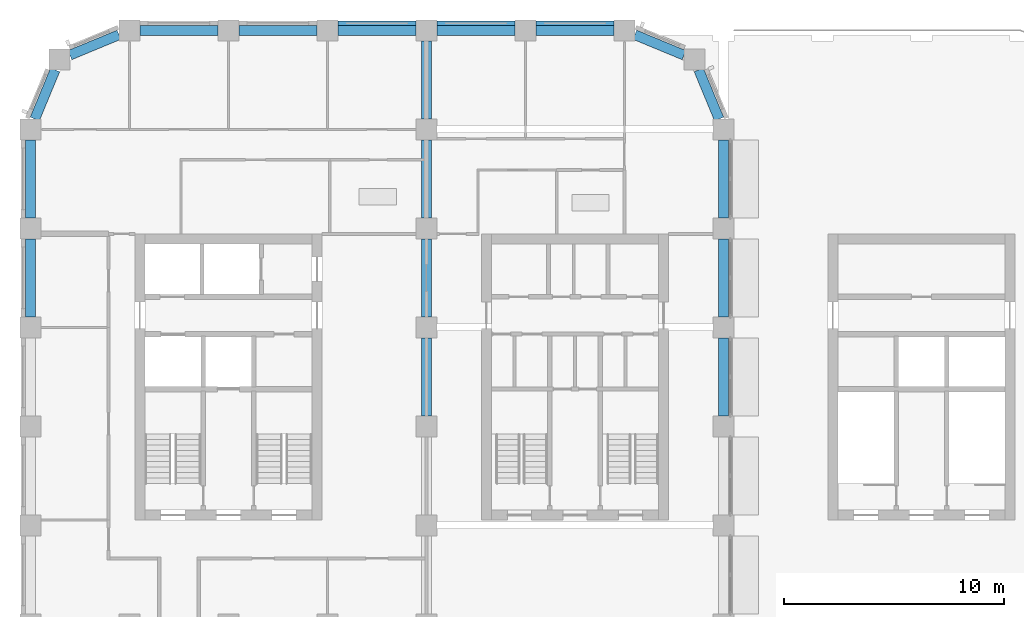
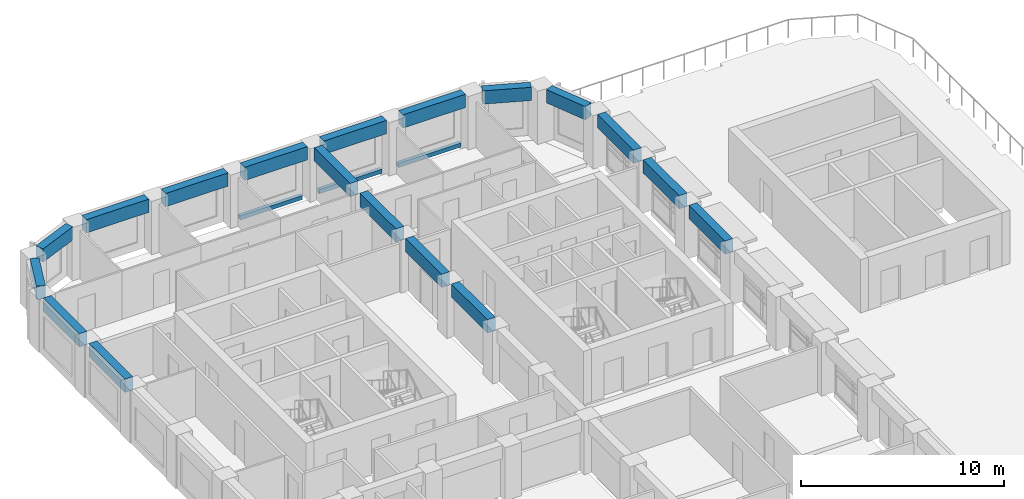
# One storey, part 3 of 15: 21 beams.
"""IFC4 building model written with IfcOpenShell, lengths in metres."""

from ifc_helpers import new_model, si_unit, direction, frame, origin, origin_2d, place, context, subcontext, project, spatial, rectangle, extrude, material, material_profile, profile_set, type_object, element, save


model = new_model("IFC4")

# Units and contexts
model_context = context("Model", 3, precision=1e-05, world=origin(), true_north=direction((0.0, 1.0)))
body_context = subcontext(model_context, "Body", "Model", "MODEL_VIEW")
ifc_project = project(units=[si_unit("LENGTHUNIT", "METRE"), si_unit("AREAUNIT", "SQUARE_METRE"), si_unit("VOLUMEUNIT", "CUBIC_METRE"), si_unit("PLANEANGLEUNIT", "RADIAN"), si_unit("MASSUNIT", "GRAM", prefix="KILO")], contexts=[model_context])

# Site, building, storey
site_placement = place(None, origin())
site = spatial("IfcSite", under=ifc_project, at=site_placement, CompositionType="ELEMENT")
building_placement = place(site_placement, origin())
building = spatial("IfcBuilding", under=site, at=building_placement, Name="Girih Gate Residences", CompositionType="ELEMENT")
storey_placement = place(building_placement, frame((0.0, 0.0, 176.300048828125)))
storey = spatial("IfcBuildingStorey", under=building, at=storey_placement, Name="L48", CompositionType="ELEMENT", Elevation=176.300048828125)

# Beams
ifc_material_1 = material(Name="Concrete C50/60", Category="concrete")
ifc_material_profile_1 = material_profile(ifc_material_1, rectangle(XDim=0.199951171875, YDim=0.25, at=origin_2d()))
ifc_profile_set_1 = profile_set([ifc_material_profile_1], Name="Concrete C50/60")
beam_type_1 = type_object("IfcBeamType", Name="Facade ledge RC 200x250 Concrete C50/60", PredefinedType="BEAM", material=ifc_profile_set_1)
for number, where, z_axis, x_axis, name in (
    (1, (26.52490234375, 49.824951171875, -0.125), (-1.0, 0.0, 0.0), (0.0, -1.0, 0.0), "Facade ledge N0270_0495.0 L48"),
    (2, (22.02490234375, 49.824951171875, -0.125), (-1.0, 0.0, 0.0), (0.0, -1.0, 0.0), "Facade ledge N0270_0495.1 L48"),
    (3, (17.52490234375, 49.824951171875, -0.125), (-1.0, 0.0, 0.0), (0.0, -1.0, 0.0), "Facade ledge N0270_0495.2 L48"),
):
    element("IfcBeam", number, at=place(storey_placement, frame(where, z_axis=z_axis, x_axis=x_axis)), inside=storey, type_object=beam_type_1, Name=name, PredefinedType="BEAM", context=body_context, shape_type="SweptSolid", body=[
        extrude(rectangle(XDim=0.199951171875, YDim=0.25, at=origin_2d()), origin(), (0.0, 0.0, 1.0), 3.5498046875),
    ])
ifc_material_2 = material(Name="Concrete C60/75", Category="concrete")
ifc_material_profile_2 = material_profile(ifc_material_2, rectangle(XDim=0.449951171875, YDim=0.800048828125, at=origin_2d()))
ifc_profile_set_2 = profile_set([ifc_material_profile_2], Name="Concrete C60/75")
beam_type_2 = type_object("IfcBeamType", Name="Spandrel girder RC 450x800 Concrete C60/75", PredefinedType="BEAM", material=ifc_profile_set_2)
for number, where, z_axis, x_axis, name in (
    (4, (31.5, 31.97509765625, 2.800048828125), (0.0, 1.0, 0.0), (-1.0, 0.0, 0.0), "Spandrel girder SP-P8H-P8I L48"),
    (5, (31.5, 36.47509765625, 2.800048828125), (0.0, 1.0, 0.0), (-1.0, 0.0, 0.0), "Spandrel girder SP-P8I-P8J L48"),
    (6, (31.5, 40.97509765625, 2.800048828125), (0.0, 1.0, 0.0), (-1.0, 0.0, 0.0), "Spandrel girder SP-P8J-P8K L48"),
):
    element("IfcBeam", number, at=place(storey_placement, frame(where, z_axis=z_axis, x_axis=x_axis)), inside=storey, type_object=beam_type_2, Name=name, PredefinedType="BEAM", context=body_context, shape_type="SweptSolid", body=[
        extrude(rectangle(XDim=0.449951171875, YDim=0.800048828125, at=origin_2d()), origin(), (0.0, 0.0, 1.0), 3.5498046875),
    ])
for number, where, z_axis, x_axis, name in (
    (7, (31.30322265625, 45.47509765625, 2.800048828125), (-0.382705825988, 0.923870256451, 0.0), (-0.923870256451, -0.382705825988, 0.0), "Spandrel girder SP-P8K-P8LSW L48"),
    (8, (29.70703125, 48.378662109375, 2.800048828125), (-0.923870256451, 0.382705825988, 0.0), (-0.382705825988, -0.923870256451, 0.0), "Spandrel girder SP-P8LSW-P7L L48"),
):
    element("IfcBeam", number, at=place(storey_placement, frame(where, z_axis=z_axis, x_axis=x_axis)), inside=storey, type_object=beam_type_2, Name=name, PredefinedType="BEAM", context=body_context, shape_type="SweptSolid", body=[
        extrude(rectangle(XDim=0.449951171875, YDim=0.800048828125, at=origin_2d()), origin(), (0.0, 0.0, 1.0), 2.415771484375),
    ])
for number, where, z_axis, x_axis, name in (
    (9, (26.52490234375, 49.5, 2.800048828125), (-1.0, 0.0, 0.0), (0.0, -1.0, 0.0), "Spandrel girder SP-P7L-P6L L48"),
    (10, (22.02490234375, 49.5, 2.800048828125), (-1.0, 0.0, 0.0), (0.0, -1.0, 0.0), "Spandrel girder SP-P6L-P5L L48"),
    (11, (17.52490234375, 49.5, 2.800048828125), (-1.0, 0.0, 0.0), (0.0, -1.0, 0.0), "Spandrel girder SP-P5L-P4L L48"),
    (12, (13.02490234375, 49.5, 2.800048828125), (-1.0, 0.0, 0.0), (0.0, -1.0, 0.0), "Spandrel girder SP-P4L-P3L L48"),
    (13, (8.52490234375, 49.5, 2.800048828125), (-1.0, 0.0, 0.0), (0.0, -1.0, 0.0), "Spandrel girder SP-P3L-P2L L48"),
):
    element("IfcBeam", number, at=place(storey_placement, frame(where, z_axis=z_axis, x_axis=x_axis)), inside=storey, type_object=beam_type_2, Name=name, PredefinedType="BEAM", context=body_context, shape_type="SweptSolid", body=[
        extrude(rectangle(XDim=0.449951171875, YDim=0.800048828125, at=origin_2d()), origin(), (0.0, 0.0, 1.0), 3.5498046875),
    ])
for number, where, z_axis, x_axis, name in (
    (14, (4.02490234375, 49.30322265625, 2.800048828125), (-0.923870256451, -0.382705825988, 0.0), (0.382705825988, -0.923870256451, 0.0), "Spandrel girder SP-P2L-P1LSE L48"),
    (15, (1.121337890625, 47.70703125, 2.800048828125), (-0.382705825988, -0.923870256451, 0.0), (0.923870256451, -0.382705825988, 0.0), "Spandrel girder SP-P1LSE-P1K L48"),
):
    element("IfcBeam", number, at=place(storey_placement, frame(where, z_axis=z_axis, x_axis=x_axis)), inside=storey, type_object=beam_type_2, Name=name, PredefinedType="BEAM", context=body_context, shape_type="SweptSolid", body=[
        extrude(rectangle(XDim=0.449951171875, YDim=0.800048828125, at=origin_2d()), origin(), (0.0, 0.0, 1.0), 2.415771484375),
    ])
for number, where, z_axis, x_axis, name in (
    (16, (0.0, 44.52490234375, 2.800048828125), (0.0, -1.0, 0.0), (1.0, 0.0, 0.0), "Spandrel girder SP-P1K-P1J L48"),
    (17, (0.0, 40.02490234375, 2.800048828125), (0.0, -1.0, 0.0), (1.0, 0.0, 0.0), "Spandrel girder SP-P1J-P1I L48"),
    (18, (18.0, 31.97509765625, 2.800048828125), (0.0, 1.0, 0.0), (-1.0, 0.0, 0.0), "Spandrel girder SP-P5H-P5I L48"),
    (19, (18.0, 36.47509765625, 2.800048828125), (0.0, 1.0, 0.0), (-1.0, 0.0, 0.0), "Spandrel girder SP-P5I-P5J L48"),
    (20, (18.0, 40.97509765625, 2.800048828125), (0.0, 1.0, 0.0), (-1.0, 0.0, 0.0), "Spandrel girder SP-P5J-P5K L48"),
    (21, (18.0, 45.47509765625, 2.800048828125), (0.0, 1.0, 0.0), (-1.0, 0.0, 0.0), "Spandrel girder SP-P5K-P5L L48"),
):
    element("IfcBeam", number, at=place(storey_placement, frame(where, z_axis=z_axis, x_axis=x_axis)), inside=storey, type_object=beam_type_2, Name=name, PredefinedType="BEAM", context=body_context, shape_type="SweptSolid", body=[
        extrude(rectangle(XDim=0.449951171875, YDim=0.800048828125, at=origin_2d()), origin(), (0.0, 0.0, 1.0), 3.5498046875),
    ])

save(model, "model.ifc")
